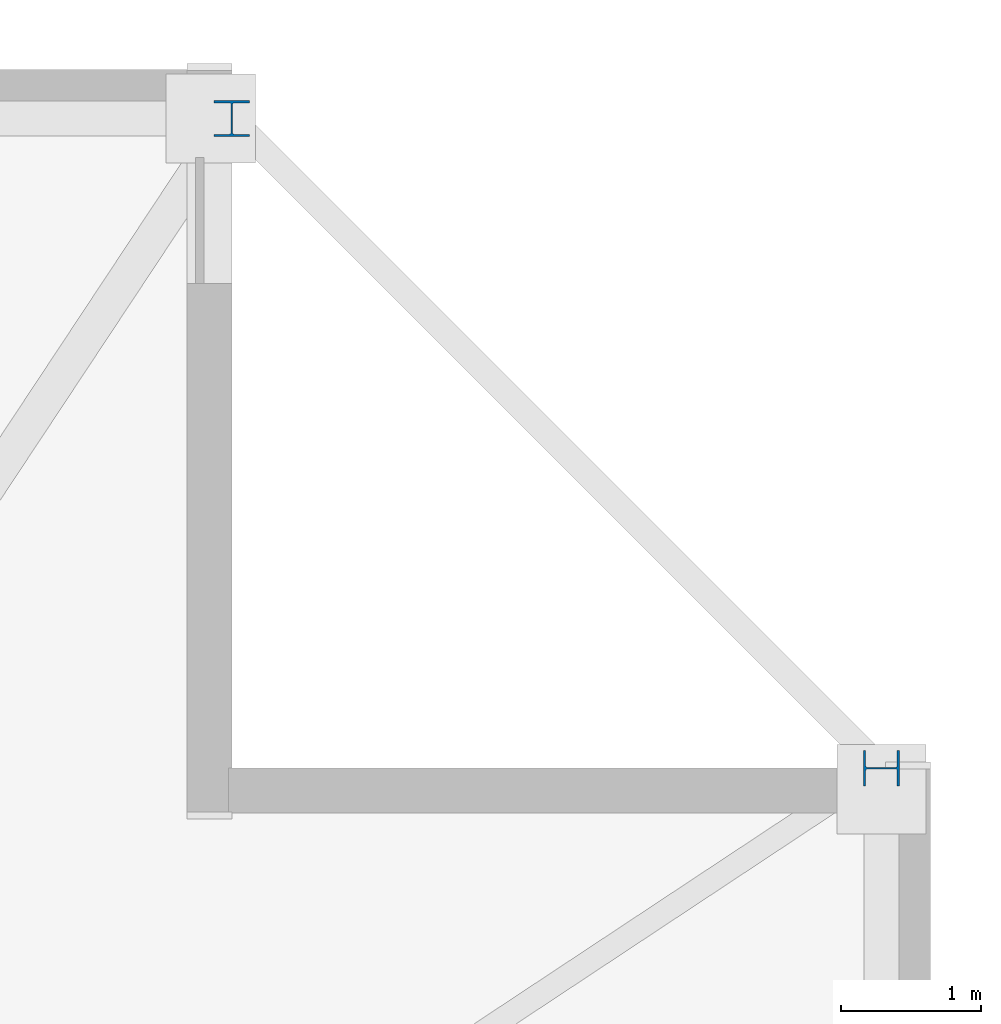
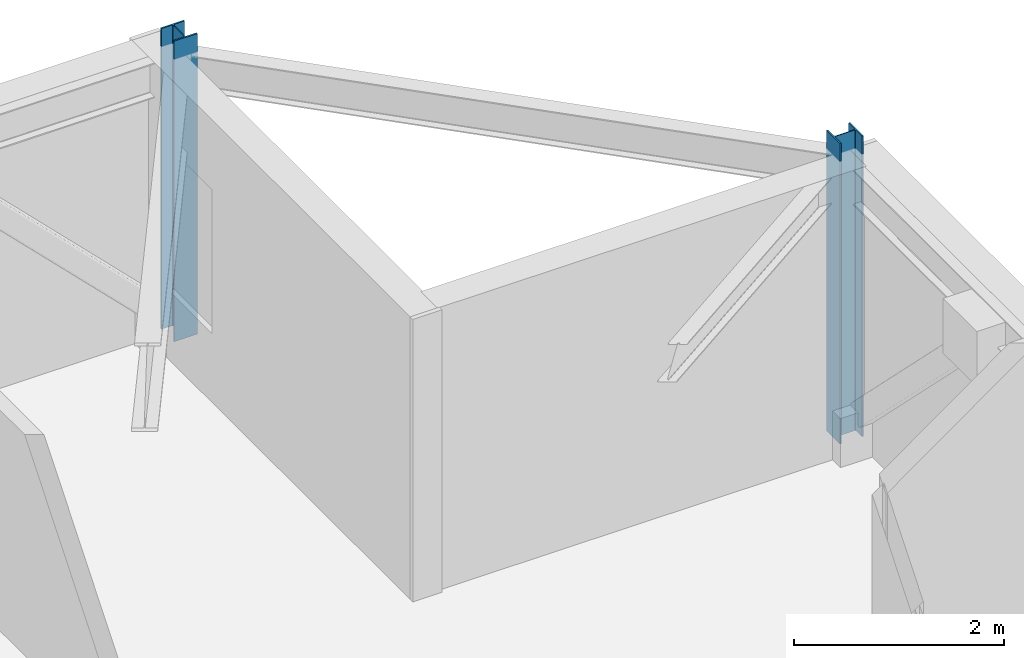
# One storey, part 5 of 17: 2 columns.
"""IFC4 building model written with IfcOpenShell, lengths in metres."""

from ifc_helpers import new_model, si_unit, direction, frame, origin, origin_2d, place, context, subcontext, project, spatial, i_section, extrude, material, material_profile, profile_set, type_object, element, save


model = new_model("IFC4")

# Units and contexts
model_context = context("Model", 3, precision=1e-05, world=origin(), true_north=direction((0.0, 1.0)))
body_context = subcontext(model_context, "Body", "Model", "MODEL_VIEW")
ifc_project = project(units=[si_unit("LENGTHUNIT", "METRE"), si_unit("AREAUNIT", "SQUARE_METRE"), si_unit("VOLUMEUNIT", "CUBIC_METRE"), si_unit("PLANEANGLEUNIT", "RADIAN"), si_unit("MASSUNIT", "GRAM", prefix="KILO")], contexts=[model_context])

# Site, building, storey
site_placement = place(None, origin())
site = spatial("IfcSite", under=ifc_project, at=site_placement, CompositionType="ELEMENT")
building_placement = place(site_placement, origin())
building = spatial("IfcBuilding", under=site, at=building_placement, Name="Cairnveth Concourse Tower", CompositionType="ELEMENT")
storey_placement = place(building_placement, frame((0.0, 0.0, 241.0)))
storey = spatial("IfcBuildingStorey", under=building, at=storey_placement, Name="L66", CompositionType="ELEMENT", Elevation=241.0)

# Columns
ifc_material = material(Name="Steel Grade 350", Category="steel")
ifc_material_profile = material_profile(ifc_material, i_section(OverallWidth=0.256103515625, OverallDepth=0.260009765625, WebThickness=0.010498046875, FlangeThickness=0.017333984375, FilletRadius=0.012939453125, at=origin_2d()), Name="250UC89.5")
ifc_profile_set = profile_set([ifc_material_profile], Name="Steel Grade 350")
column_type = type_object("IfcColumnType", Name="UNIVERSAL STEEL COLUMN 250UC89.5", PredefinedType="COLUMN", material=ifc_profile_set)
for number, where, z_axis, x_axis, name in (
    (1, (74.14990234375, 56.5, 0.0), (0.0, 0.0, 1.0), (0.0, 1.0, 0.0), "Column P-E4 L66"),
    (2, (69.5, 61.14990234375, 0.0), (0.0, 0.0, 1.0), (1.0, 0.0, 0.0), "Column P-N1 L66"),
):
    element("IfcColumn", number, at=place(storey_placement, frame(where, z_axis=z_axis, x_axis=x_axis)), inside=storey, type_object=column_type, Name=name, PredefinedType="COLUMN", context=body_context, shape_type="SweptSolid", body=[
        extrude(i_section(OverallWidth=0.256103515625, OverallDepth=0.260009765625, WebThickness=0.010498046875, FlangeThickness=0.017333984375, FilletRadius=0.012939453125, at=origin_2d()), origin(), (0.0, 0.0, 1.0), 3.5),
    ])

save(model, "model.ifc")
